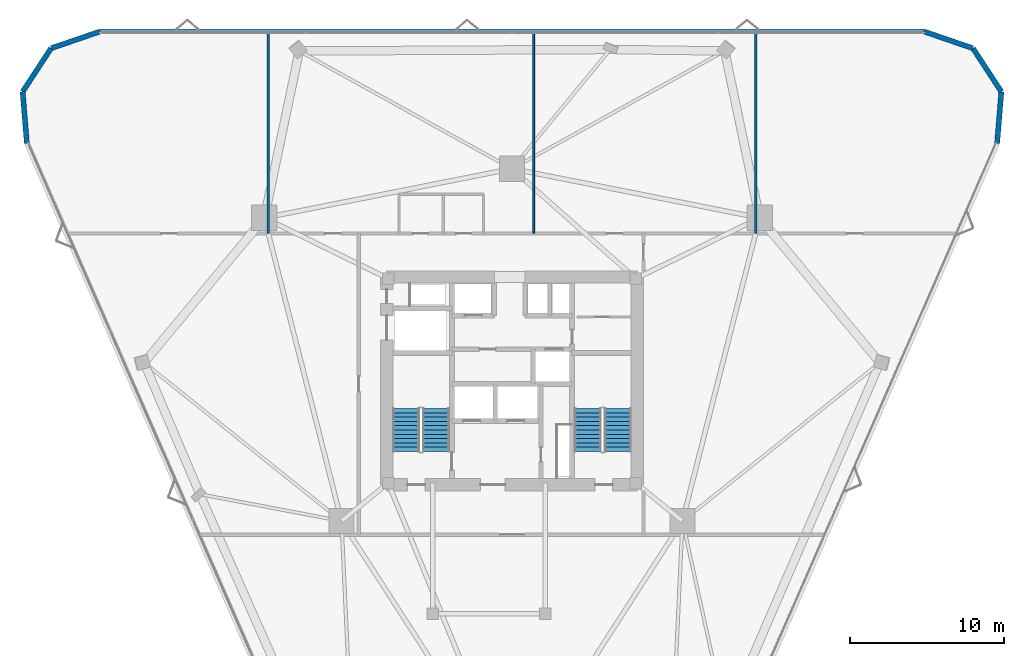
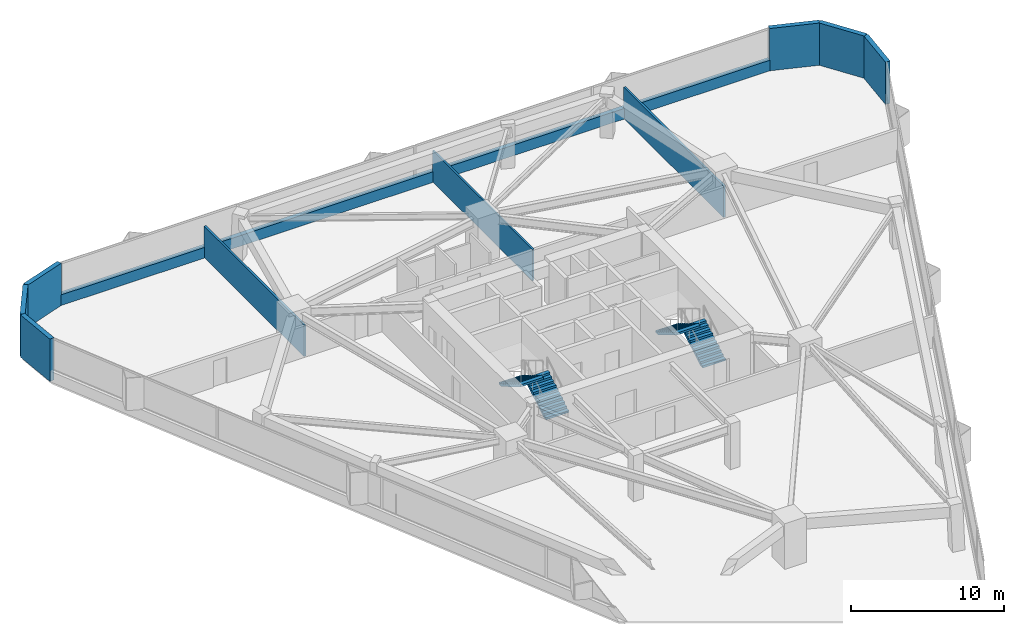
# One storey, part 18 of 19: 10 walls, 4 stair flights, 2 elements without a shape of their own.
"""IFC4 building model written with IfcOpenShell, lengths in metres."""

import ifcopenshell
import ifcopenshell.guid

model = None  # the IFC model being written
_history = None  # IfcOwnerHistory: only IFC2X3 demands one
_inside = {}  # id of a spatial element -> (the spatial element, [elements in it])
_under = {}  # id of a project, library or spatial element -> (it, [spatial elements below it])
_declared = {}  # id of a project -> (the project, [libraries it declares])
_typed = {}  # id of a type object -> (the type object, [elements of that type])
_made_of = {}  # id of a material, layer set ... -> (it, [elements and type objects made of it])


def new_model(schema):
    """Start an empty IFC model of exactly this schema.

    Asked for "IFC4X3", IfcOpenShell would pick the latest addendum, in which some entities
    have other attributes; the version numbers below select the first issue.
    IFC2X3 requires an IfcOwnerHistory on every rooted entity: one is made here for all.
    """
    global model, _history
    if schema == "IFC4X3":
        model = ifcopenshell.file(schema_version=(4, 3, 0, 0))
    else:
        model = ifcopenshell.file(schema=schema)
    _inside.clear()
    _under.clear()
    _declared.clear()
    _typed.clear()
    _made_of.clear()
    _history = None
    if model.schema == "IFC2X3":
        org = make("IfcOrganization", Name="unknown")
        user = make(
            "IfcPersonAndOrganization",
            ThePerson=make("IfcPerson", FamilyName="unknown"),
            TheOrganization=org,
        )
        app = make(
            "IfcApplication",
            ApplicationDeveloper=org,
            Version="unknown",
            ApplicationFullName="unknown",
            ApplicationIdentifier="unknown",
        )
        _history = make(
            "IfcOwnerHistory",
            OwningUser=user,
            OwningApplication=app,
            ChangeAction="ADDED",
            CreationDate=0,
        )
    return model


def make(cls, **values):
    """One entity of the class cls with the attributes given. An attribute that is None is left unset."""
    return model.create_entity(
        cls, **{name: value for name, value in values.items() if value is not None}
    )


def rooted(cls, **values):
    """An entity with a GlobalId (a new one), such as an element, a storey or a relation."""
    return make(cls, GlobalId=ifcopenshell.guid.new(), OwnerHistory=_history, **values)


def si_unit(unit_type, name, prefix=None):
    """IfcSIUnit, for example si_unit("LENGTHUNIT", "METRE", prefix="MILLI")."""
    return make("IfcSIUnit", UnitType=unit_type, Prefix=prefix, Name=name)


def assignment(units):
    """IfcUnitAssignment: the units of a project."""
    return None if units is None else make("IfcUnitAssignment", Units=units)


def point(xyz):
    """IfcCartesianPoint."""
    return None if xyz is None else make("IfcCartesianPoint", Coordinates=xyz)


def direction(xyz):
    """IfcDirection."""
    return None if xyz is None else make("IfcDirection", DirectionRatios=xyz)


def frame(location, z_axis=None, x_axis=None):
    """IfcAxis2Placement3D, a coordinate frame: its origin and axes. An axis left out is left unset."""
    return make(
        "IfcAxis2Placement3D",
        Location=point(location),
        Axis=direction(z_axis),
        RefDirection=direction(x_axis),
    )


def frame_2d(location, x_axis=None):
    """IfcAxis2Placement2D, a coordinate frame in the plane: its origin and x axis."""
    return make(
        "IfcAxis2Placement2D", Location=point(location), RefDirection=direction(x_axis)
    )


def origin():
    """The frame at (0, 0, 0) with its axes left unset."""
    return frame((0.0, 0.0, 0.0))


def place(relative_to, where):
    """IfcLocalPlacement: puts the frame where relative to a parent placement (None: the world)."""
    return make(
        "IfcLocalPlacement", PlacementRelTo=relative_to, RelativePlacement=where
    )


def context(
    kind, dimensions, precision=None, world=None, true_north=None, identifier=None
):
    """IfcGeometricRepresentationContext, for example the 3D "Model" context."""
    return make(
        "IfcGeometricRepresentationContext",
        ContextIdentifier=identifier,
        ContextType=kind,
        CoordinateSpaceDimension=dimensions,
        Precision=precision,
        WorldCoordinateSystem=world,
        TrueNorth=true_north,
    )


def subcontext(parent, identifier, kind, view, scale=None):
    """IfcGeometricRepresentationSubContext, for example "Body" below "Model"."""
    return make(
        "IfcGeometricRepresentationSubContext",
        ContextIdentifier=identifier,
        ContextType=kind,
        ParentContext=parent,
        TargetScale=scale,
        TargetView=view,
    )


def project(units=None, contexts=None):
    """IfcProject with its units and contexts."""
    return rooted(
        "IfcProject",
        Name="project",
        RepresentationContexts=contexts,
        UnitsInContext=assignment(units),
    )


def spatial(cls, under=None, at=None, **own):
    """A site, building, storey or space (cls), placed at a placement, below another one or the project."""
    s = rooted(cls, ObjectPlacement=at, **own)
    if under is not None:
        _under.setdefault(under.id(), (under, []))[1].append(s)
    return s


def polyline(points):
    """IfcPolyline through the points."""
    return make("IfcPolyline", Points=[point(p) for p in points])


def profile(cls, at=None, kind="AREA", **sizes):
    """A parametric profile (cls). Its sizes go by their IFC names, for example OverallWidth=200.0."""
    return make(cls, ProfileType=kind, Position=at, **sizes)


def rectangle(**sizes):
    """IfcRectangleProfileDef."""
    return profile("IfcRectangleProfileDef", **sizes)


def outline(outer, holes=None, kind="AREA"):
    """IfcArbitraryClosedProfileDef: a profile drawn as a closed curve; with holes, ...WithVoids."""
    if holes is None:
        return make("IfcArbitraryClosedProfileDef", ProfileType=kind, OuterCurve=outer)
    return make(
        "IfcArbitraryProfileDefWithVoids",
        ProfileType=kind,
        OuterCurve=outer,
        InnerCurves=holes,
    )


def extrude(swept, where, along, depth):
    """IfcExtrudedAreaSolid: the profile swept, set in the frame where, extruded along a direction by depth."""
    return make(
        "IfcExtrudedAreaSolid",
        SweptArea=swept,
        Position=where,
        ExtrudedDirection=direction(along),
        Depth=depth,
    )


def shape(context_of_items, identifier, shape_type, items):
    """IfcShapeRepresentation: the items that make up one representation, for example the "Body"."""
    return make(
        "IfcShapeRepresentation",
        ContextOfItems=context_of_items,
        RepresentationIdentifier=identifier,
        RepresentationType=shape_type,
        Items=items,
    )


def material(Name=None, Category=None):
    """IfcMaterial."""
    return make("IfcMaterial", Name=Name, Category=Category)


def layer(
    of_material, thickness, ventilated=None, Name=None, Category=None, Priority=None
):
    """IfcMaterialLayer: one layer of a wall or slab, of a material (None: an air gap)."""
    return make(
        "IfcMaterialLayer",
        Material=of_material,
        LayerThickness=thickness,
        IsVentilated=ventilated,
        Name=Name,
        Category=Category,
        Priority=Priority,
    )


def layer_set(layers, Name=None):
    """IfcMaterialLayerSet."""
    return make("IfcMaterialLayerSet", MaterialLayers=layers, LayerSetName=Name)


def made_of(thing, what):
    """Note that an element or type object is made of a material, layer set ...; save() writes the relation."""
    if what is not None:
        _made_of.setdefault(what.id(), (what, []))[1].append(thing)
    return thing


def type_object(cls, material=None, **own):
    """A type object (cls), such as IfcWallType, which elements share."""
    return made_of(rooted(cls, **own), material)


def element(
    cls,
    number,
    at=None,
    inside=None,
    cuts=None,
    type_object=None,
    material=None,
    context=None,
    identifier="Body",
    shape_type=None,
    held_by="IfcProductDefinitionShape",
    body=None,
    shapes=None,
    **own,
):
    """One element of the class cls, such as IfcWall. Its Tag is "e" and its number.

    at: its placement. inside: the storey or other place that contains it. cuts: it is an
    opening in that element (IfcRelVoidsElement). A single representation is given by context,
    identifier, shape_type and body (its items); several are given by shapes. held_by: the class
    of the entity that holds the representations. save() writes the other relations.
    """
    e = rooted(cls, Tag="e%d" % number, ObjectPlacement=at, **own)
    if body is not None:
        shapes = [shape(context, identifier, shape_type, body)]
    if shapes is not None:
        e.Representation = make(held_by, Representations=shapes)
    if inside is not None:
        _inside.setdefault(inside.id(), (inside, []))[1].append(e)
    if cuts is not None:
        rooted(
            "IfcRelVoidsElement", RelatingBuildingElement=cuts, RelatedOpeningElement=e
        )
    if type_object is not None:
        _typed.setdefault(type_object.id(), (type_object, []))[1].append(e)
    return made_of(e, material)


def aggregate(whole, parts):
    """IfcRelAggregates: a whole, such as a stair, and the parts it consists of."""
    return rooted("IfcRelAggregates", RelatingObject=whole, RelatedObjects=parts)


def save(model, path):
    """Write the relations noted so far, then the file.

    IfcRelAggregates (storeys below a building ...), IfcRelContainedInSpatialStructure (elements
    in a storey), IfcRelDefinesByType, IfcRelAssociatesMaterial and IfcRelDeclares: one each for
    every whole, place, type object, material and project.
    """
    for whole, parts in _under.values():
        aggregate(whole, parts)
    for where, things in _inside.values():
        rooted(
            "IfcRelContainedInSpatialStructure",
            RelatedElements=things,
            RelatingStructure=where,
        )
    for kind, things in _typed.values():
        rooted("IfcRelDefinesByType", RelatedObjects=things, RelatingType=kind)
    for what, things in _made_of.values():
        rooted("IfcRelAssociatesMaterial", RelatedObjects=things, RelatingMaterial=what)
    for by, libraries in _declared.values():
        rooted("IfcRelDeclares", RelatingContext=by, RelatedDefinitions=libraries)
    model.write(path)


model = new_model("IFC4")

# Units and contexts
model_context = context("Model", 3, precision=1e-05, world=origin(), true_north=direction((0.0, 1.0)))
body_context = subcontext(model_context, "Body", "Model", "MODEL_VIEW")
ifc_project = project(units=[si_unit("LENGTHUNIT", "METRE"), si_unit("AREAUNIT", "SQUARE_METRE"), si_unit("VOLUMEUNIT", "CUBIC_METRE"), si_unit("PLANEANGLEUNIT", "RADIAN"), si_unit("MASSUNIT", "GRAM", prefix="KILO")], contexts=[model_context])

# Site, building, storey
site_placement = place(None, origin())
site = spatial("IfcSite", under=ifc_project, at=site_placement, CompositionType="ELEMENT")
building_placement = place(site_placement, origin())
building = spatial("IfcBuilding", under=site, at=building_placement, Name="Talyreon Biosciences Tower", CompositionType="ELEMENT")
storey_placement = place(building_placement, frame((0.0, 0.0, 82.300048828125)))
storey = spatial("IfcBuildingStorey", under=building, at=storey_placement, Name="L21", CompositionType="ELEMENT", Elevation=82.300048828125)

# Walls
ifc_material_1 = material(Name="Gypsum acoustic stud partition", Category="gypsum")
ifc_layer_1 = layer(ifc_material_1, 0.159912109375)
ifc_layer_set_1 = layer_set([ifc_layer_1], Name="Gypsum acoustic stud partition")
wall_type_1 = type_object("IfcWallType", Name="LabSeparationPartition_160", PredefinedType="PARTITIONING", material=ifc_layer_set_1)
for number, where, z_axis, x_axis, name in (
    (1, (50.158935546875, 77.580078125, 0.0), (0.0, 0.0, 1.0), (0.0, 1.0, 0.0), "L21 Interior Wall IW-L21-NDIV1"),
    (2, (81.841064453125, 77.580078125, 0.0), (0.0, 0.0, 1.0), (0.0, 1.0, 0.0), "L21 Interior Wall IW-L21-NDIV3"),
):
    element("IfcWall", number, at=place(storey_placement, frame(where, z_axis=z_axis, x_axis=x_axis)), inside=storey, type_object=wall_type_1, Name=name, PredefinedType="PARTITIONING", context=body_context, shape_type="SweptSolid", body=[
        extrude(rectangle(XDim=13.05517578125, YDim=0.159912109375, at=frame_2d((6.527587890625, 0.0))), origin(), (0.0, 0.0, 1.0), 2.5048828125),
    ])
ifc_layer_2 = layer(ifc_material_1, 0.1298828125)
ifc_layer_set_2 = layer_set([ifc_layer_2], Name="Gypsum acoustic stud partition")
wall_type_2 = type_object("IfcWallType", Name="OfficeWriteupPartition_130", PredefinedType="PARTITIONING", material=ifc_layer_set_2)
wall_1_placement = place(storey_placement, frame((67.39990234375, 77.580078125, 0.0), z_axis=(0.0, 0.0, 1.0), x_axis=(0.0, 1.0, 0.0)))
element("IfcWall", 3, at=wall_1_placement, inside=storey, type_object=wall_type_2, Name="L21 Interior Wall IW-L21-NDIV2", PredefinedType="PARTITIONING", context=body_context, shape_type="SweptSolid", body=[
    extrude(rectangle(XDim=13.05517578125, YDim=0.1298828125, at=frame_2d((6.527587890625, 0.0))), origin(), (0.0, 0.0, 1.0), 2.5048828125),
])
ifc_material_2 = material(Name="Precast concrete C45/55", Category="concrete")
ifc_layer_3 = layer(ifc_material_2, 0.340087890625)
ifc_layer_set_3 = layer_set([ifc_layer_3], Name="Precast concrete C45/55")
wall_type_3 = type_object("IfcWallType", Name="PrecastConcreteSpandrelWall_340", PredefinedType="STANDARD", material=ifc_layer_set_3)
for number, where, z_axis, x_axis, name in (
    (4, (34.451171875, 83.436767578125, 0.0), (0.0, 0.0, 1.0), (-0.081668502706, 0.996659548525, 0.0), "L21 Rounded-Corner Concrete Pier 01"),
    (5, (34.175537109375, 86.800537109375, 0.0), (0.0, 0.0, 1.0), (0.547383837671, 0.836881672793, 0.0), "L21 Rounded-Corner Concrete Pier 02"),
    (6, (36.02294921875, 89.625, 0.0), (0.0, 0.0, 1.0), (0.945883789228, 0.324505558158, 0.0), "L21 Rounded-Corner Concrete Pier 03"),
):
    element("IfcWall", number, at=place(storey_placement, frame(where, z_axis=z_axis, x_axis=x_axis)), inside=storey, type_object=wall_type_3, Name=name, PredefinedType="STANDARD", context=body_context, shape_type="SweptSolid", body=[
        extrude(rectangle(XDim=3.375, YDim=0.340087890625, at=frame_2d((1.6875, 0.0))), origin(), (0.0, 0.0, 1.0), 3.375),
    ])
wall_2_placement = place(storey_placement, frame((39.21533203125, 90.72021484375, 0.0), z_axis=(0.0, 0.0, 1.0), x_axis=(1.0, 0.0, 0.0)))
element("IfcWall", 7, at=wall_2_placement, inside=storey, type_object=wall_type_3, Name="L21 Expressed Concrete Sill Wall 04", PredefinedType="STANDARD", context=body_context, shape_type="SweptSolid", body=[
    extrude(rectangle(XDim=53.5693359375, YDim=0.340087890625, at=frame_2d((26.78466796875, 0.0))), origin(), (0.0, 0.0, 1.0), 0.849853515625),
])
for number, where, z_axis, x_axis, name in (
    (8, (92.78466796875, 90.72021484375, 0.0), (0.0, 0.0, 1.0), (0.945883789228, -0.324505558158, 0.0), "L21 Rounded-Corner Concrete Pier 05"),
    (9, (95.97705078125, 89.625, 0.0), (0.0, 0.0, 1.0), (0.547383837671, -0.836881672793, 0.0), "L21 Rounded-Corner Concrete Pier 06"),
    (10, (97.824462890625, 86.800537109375, 0.0), (0.0, 0.0, 1.0), (-0.081668502706, -0.996659548525, 0.0), "L21 Rounded-Corner Concrete Pier 07"),
):
    element("IfcWall", number, at=place(storey_placement, frame(where, z_axis=z_axis, x_axis=x_axis)), inside=storey, type_object=wall_type_3, Name=name, PredefinedType="STANDARD", context=body_context, shape_type="SweptSolid", body=[
        extrude(rectangle(XDim=3.375, YDim=0.340087890625, at=frame_2d((1.6875, 0.0))), origin(), (0.0, 0.0, 1.0), 3.375),
    ])

# Stair, stair flights
ifc_material_3 = material(Name="Concrete C40/50", Category="concrete")
stair_type = type_object("IfcStairType", Name="DoglegEscapeStair_3650", PredefinedType="HALF_TURN_STAIR", material=ifc_material_3)
stair_1_placement = place(storey_placement, origin())
stair_1 = element("IfcStair", 11, at=stair_1_placement, inside=storey, type_object=stair_type, Name="L21 Core Escape Stair 1", PredefinedType="HALF_TURN_STAIR")
stair_flight_type = type_object("IfcStairFlightType", Name="PrecastStairFlight_3650", PredefinedType="STRAIGHT", material=ifc_material_3)
stair_flight_1_placement = place(storey_placement, frame((61.06005859375, 63.39990234375, 0.0), z_axis=(0.0, 0.0, 1.0), x_axis=(0.0, 1.0, 0.0)))
stair_flight_1 = element("IfcStairFlight", 12, at=stair_flight_1_placement, type_object=stair_flight_type, Name="ST-1 flight 1", NumberOfRisers=11, NumberOfTreads=10, PredefinedType="STRAIGHT", RiserHeight=0.165909091, TreadLength=0.28, context=body_context, shape_type="SweptSolid", body=[
    extrude(outline(polyline([(0.0, 0.0), (0.0, 0.166015625), (0.280029296875, 0.166015625), (0.280029296875, 0.331787109375), (0.56005859375, 0.331787109375), (0.56005859375, 0.497802734375), (0.840087890625, 0.497802734375), (0.840087890625, 0.66357421875), (1.1201171875, 0.66357421875), (1.1201171875, 0.82958984375), (1.39990234375, 0.82958984375), (1.39990234375, 0.995361328125), (1.679931640625, 0.995361328125), (1.679931640625, 1.161376953125), (1.9599609375, 1.161376953125), (1.9599609375, 1.327392578125), (2.239990234375, 1.327392578125), (2.239990234375, 1.4931640625), (2.52001953125, 1.4931640625), (2.52001953125, 1.6591796875), (2.800048828125, 1.6591796875), (2.800048828125, 1.824951171875), (2.800048828125, 1.48486328125), (0.2939453125, 0.0), (0.0, 0.0)])), frame((0.0, 0.8701171875, 0.0), z_axis=(0.0, -1.0, 0.0), x_axis=(1.0, 0.0, 0.0)), (0.0, 0.0, 1.0), 1.739990234375),
])
stair_flight_2_placement = place(storey_placement, frame((59.1201171875, 66.199951171875, 1.824951171875), z_axis=(0.0, 0.0, 1.0), x_axis=(0.0, -1.0, 0.0)))
stair_flight_2 = element("IfcStairFlight", 13, at=stair_flight_2_placement, type_object=stair_flight_type, Name="ST-1 flight 2", NumberOfRisers=11, NumberOfTreads=10, PredefinedType="STRAIGHT", RiserHeight=0.165909091, TreadLength=0.28, context=body_context, shape_type="SweptSolid", body=[
    extrude(outline(polyline([(0.0, 0.0), (0.0, 0.166015625), (0.280029296875, 0.166015625), (0.280029296875, 0.331787109375), (0.56005859375, 0.331787109375), (0.56005859375, 0.497802734375), (0.840087890625, 0.497802734375), (0.840087890625, 0.66357421875), (1.1201171875, 0.66357421875), (1.1201171875, 0.82958984375), (1.39990234375, 0.82958984375), (1.39990234375, 0.995361328125), (1.679931640625, 0.995361328125), (1.679931640625, 1.161376953125), (1.9599609375, 1.161376953125), (1.9599609375, 1.327392578125), (2.239990234375, 1.327392578125), (2.239990234375, 1.4931640625), (2.52001953125, 1.4931640625), (2.52001953125, 1.6591796875), (2.800048828125, 1.6591796875), (2.800048828125, 1.824951171875), (2.800048828125, 1.48486328125), (0.2939453125, 0.0), (0.0, 0.0)])), frame((0.0, 0.8701171875, 0.0), z_axis=(0.0, -1.0, 0.0), x_axis=(1.0, 0.0, 0.0)), (0.0, 0.0, 1.0), 1.739990234375),
])
aggregate(stair_1, [stair_flight_1, stair_flight_2])

stair_2_placement = place(storey_placement, origin())
stair_2 = element("IfcStair", 14, at=stair_2_placement, inside=storey, type_object=stair_type, Name="L21 Core Escape Stair 2", PredefinedType="HALF_TURN_STAIR")
stair_flight_3_placement = place(storey_placement, frame((72.8798828125, 63.39990234375, 0.0), z_axis=(0.0, 0.0, 1.0), x_axis=(0.0, 1.0, 0.0)))
stair_flight_3 = element("IfcStairFlight", 15, at=stair_flight_3_placement, type_object=stair_flight_type, Name="ST-2 flight 1", NumberOfRisers=11, NumberOfTreads=10, PredefinedType="STRAIGHT", RiserHeight=0.165909091, TreadLength=0.28, context=body_context, shape_type="SweptSolid", body=[
    extrude(outline(polyline([(0.0, 0.0), (0.0, 0.166015625), (0.280029296875, 0.166015625), (0.280029296875, 0.331787109375), (0.56005859375, 0.331787109375), (0.56005859375, 0.497802734375), (0.840087890625, 0.497802734375), (0.840087890625, 0.66357421875), (1.1201171875, 0.66357421875), (1.1201171875, 0.82958984375), (1.39990234375, 0.82958984375), (1.39990234375, 0.995361328125), (1.679931640625, 0.995361328125), (1.679931640625, 1.161376953125), (1.9599609375, 1.161376953125), (1.9599609375, 1.327392578125), (2.239990234375, 1.327392578125), (2.239990234375, 1.4931640625), (2.52001953125, 1.4931640625), (2.52001953125, 1.6591796875), (2.800048828125, 1.6591796875), (2.800048828125, 1.824951171875), (2.800048828125, 1.48486328125), (0.2939453125, 0.0), (0.0, 0.0)])), frame((0.0, 0.8701171875, 0.0), z_axis=(0.0, -1.0, 0.0), x_axis=(1.0, 0.0, 0.0)), (0.0, 0.0, 1.0), 1.739990234375),
])
stair_flight_4_placement = place(storey_placement, frame((70.93994140625, 66.199951171875, 1.824951171875), z_axis=(0.0, 0.0, 1.0), x_axis=(0.0, -1.0, 0.0)))
stair_flight_4 = element("IfcStairFlight", 16, at=stair_flight_4_placement, type_object=stair_flight_type, Name="ST-2 flight 2", NumberOfRisers=11, NumberOfTreads=10, PredefinedType="STRAIGHT", RiserHeight=0.165909091, TreadLength=0.28, context=body_context, shape_type="SweptSolid", body=[
    extrude(outline(polyline([(0.0, 0.0), (0.0, 0.166015625), (0.280029296875, 0.166015625), (0.280029296875, 0.331787109375), (0.56005859375, 0.331787109375), (0.56005859375, 0.497802734375), (0.840087890625, 0.497802734375), (0.840087890625, 0.66357421875), (1.1201171875, 0.66357421875), (1.1201171875, 0.82958984375), (1.39990234375, 0.82958984375), (1.39990234375, 0.995361328125), (1.679931640625, 0.995361328125), (1.679931640625, 1.161376953125), (1.9599609375, 1.161376953125), (1.9599609375, 1.327392578125), (2.239990234375, 1.327392578125), (2.239990234375, 1.4931640625), (2.52001953125, 1.4931640625), (2.52001953125, 1.6591796875), (2.800048828125, 1.6591796875), (2.800048828125, 1.824951171875), (2.800048828125, 1.48486328125), (0.2939453125, 0.0), (0.0, 0.0)])), frame((0.0, 0.8701171875, 0.0), z_axis=(0.0, -1.0, 0.0), x_axis=(1.0, 0.0, 0.0)), (0.0, 0.0, 1.0), 1.739990234375),
])
aggregate(stair_2, [stair_flight_3, stair_flight_4])

save(model, "model.ifc")
